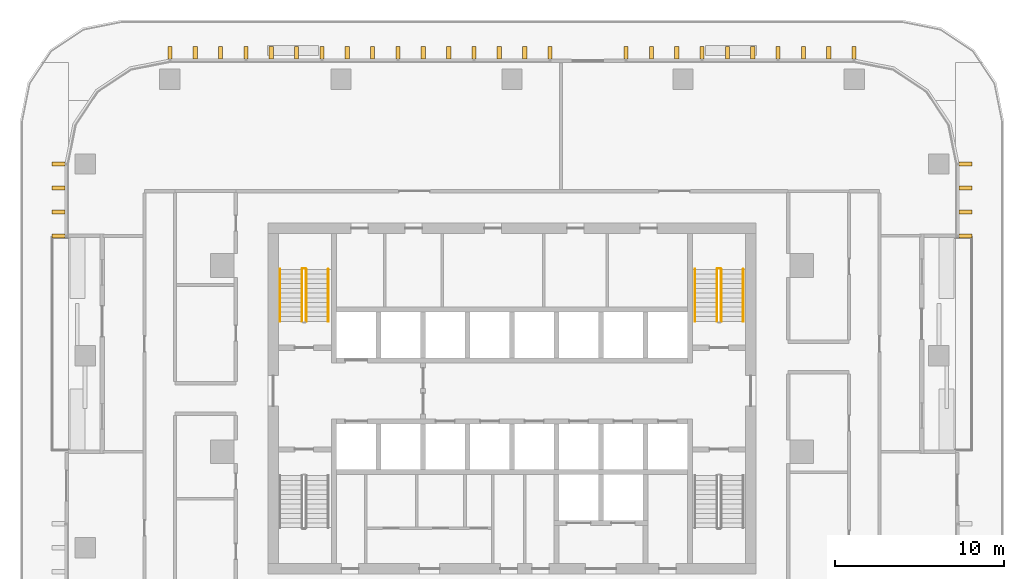
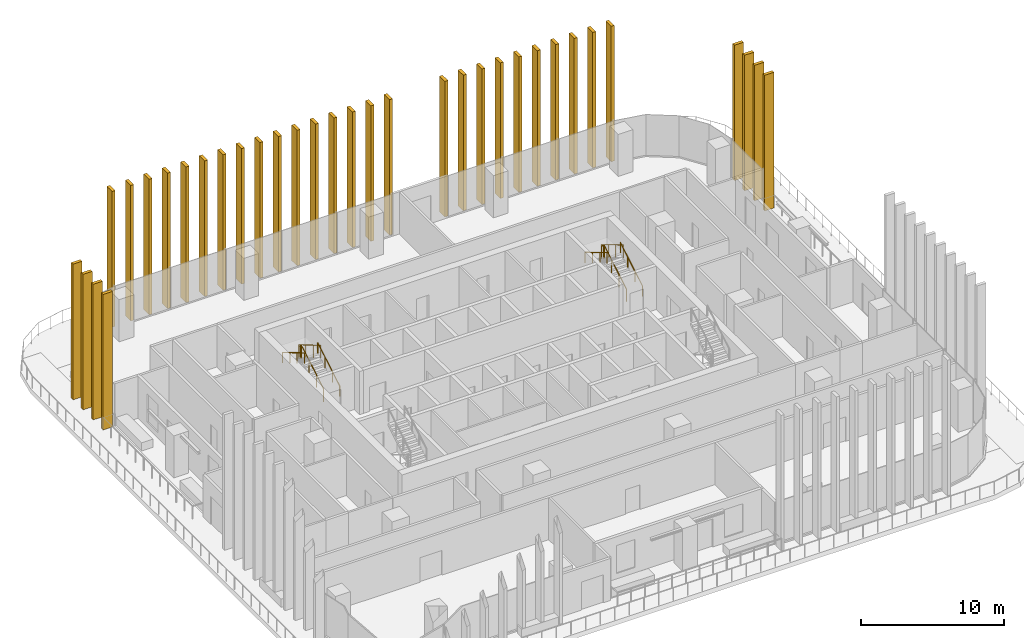
# One storey, part 16 of 16: 34 shading devices, 8 railings.
"""IFC4 building model written with IfcOpenShell, lengths in metres."""

from ifc_helpers import new_model, si_unit, direction, frame, origin, origin_2d, place, context, subcontext, project, spatial, rectangle, circle, extrude, material, type_object, element, save


model = new_model("IFC4")

# Units and contexts
model_context = context("Model", 3, precision=1e-05, world=origin(), true_north=direction((0.0, 1.0)))
body_context = subcontext(model_context, "Body", "Model", "MODEL_VIEW")
ifc_project = project(units=[si_unit("LENGTHUNIT", "METRE"), si_unit("AREAUNIT", "SQUARE_METRE"), si_unit("VOLUMEUNIT", "CUBIC_METRE"), si_unit("PLANEANGLEUNIT", "RADIAN"), si_unit("MASSUNIT", "GRAM", prefix="KILO")], contexts=[model_context])

# Site, building, storey
site_placement = place(None, origin())
site = spatial("IfcSite", under=ifc_project, at=site_placement, CompositionType="ELEMENT")
building_placement = place(site_placement, origin())
building = spatial("IfcBuilding", under=site, at=building_placement, Name="Mopane Tessera Tower", CompositionType="ELEMENT")
storey_placement = place(building_placement, frame((0.0, 0.0, 157.0)))
storey = spatial("IfcBuildingStorey", under=building, at=storey_placement, Name="L31", CompositionType="ELEMENT", Elevation=157.0)

# Shading devices
ifc_material_1 = material(Name="Glazed ceramic tile")
shading_device_type = type_object("IfcShadingDeviceType", Name="Ceramic tile fin 750 x 250 mm", PredefinedType="USERDEFINED", material=ifc_material_1)
for number, where, z_axis, x_axis, name in (
    (1, (26.77490234375, 12.75, 0.0), (0.0, 0.0, 1.0), (0.0, 1.0, 0.0), "e:fin:L31:E:7:0"),
    (2, (26.77490234375, 14.166748046875, 0.0), (0.0, 0.0, 1.0), (0.0, 1.0, 0.0), "e:fin:L31:E:7:1"),
    (3, (26.77490234375, 15.583251953125, 0.0), (0.0, 0.0, 1.0), (0.0, 1.0, 0.0), "e:fin:L31:E:7:2"),
    (4, (26.77490234375, 17.0, 0.0), (0.0, 0.0, 1.0), (0.0, 1.0, 0.0), "e:fin:L31:E:7:3"),
    (5, (20.199951171875, 23.574951171875, 0.0), (0.0, 0.0, 1.0), (-1.0, 0.0, 0.0), "e:fin:L31:N:0:0"),
    (6, (18.70361328125, 23.574951171875, 0.0), (0.0, 0.0, 1.0), (-1.0, 0.0, 0.0), "e:fin:L31:N:0:1"),
    (7, (17.20751953125, 23.574951171875, 0.0), (0.0, 0.0, 1.0), (-1.0, 0.0, 0.0), "e:fin:L31:N:0:2"),
    (8, (15.711181640625, 23.574951171875, 0.0), (0.0, 0.0, 1.0), (-1.0, 0.0, 0.0), "e:fin:L31:N:1:0"),
    (9, (14.21484375, 23.574951171875, 0.0), (0.0, 0.0, 1.0), (-1.0, 0.0, 0.0), "e:fin:L31:N:1:1"),
    (10, (12.718505859375, 23.574951171875, 0.0), (0.0, 0.0, 1.0), (-1.0, 0.0, 0.0), "e:fin:L31:N:1:2"),
    (11, (11.22216796875, 23.574951171875, 0.0), (0.0, 0.0, 1.0), (-1.0, 0.0, 0.0), "e:fin:L31:N:2:0"),
    (12, (9.725830078125, 23.574951171875, 0.0), (0.0, 0.0, 1.0), (-1.0, 0.0, 0.0), "e:fin:L31:N:2:1"),
    (13, (8.229736328125, 23.574951171875, 0.0), (0.0, 0.0, 1.0), (-1.0, 0.0, 0.0), "e:fin:L31:N:2:2"),
    (14, (6.7333984375, 23.574951171875, 0.0), (0.0, 0.0, 1.0), (-1.0, 0.0, 0.0), "e:fin:L31:N:2:3"),
    (15, (2.244384765625, 23.574951171875, 0.0), (0.0, 0.0, 1.0), (-1.0, 0.0, 0.0), "e:fin:L31:N:4:0"),
    (16, (0.748046875, 23.574951171875, 0.0), (0.0, 0.0, 1.0), (-1.0, 0.0, 0.0), "e:fin:L31:N:4:1"),
    (17, (-0.748046875, 23.574951171875, 0.0), (0.0, 0.0, 1.0), (-1.0, 0.0, 0.0), "e:fin:L31:N:4:2"),
    (18, (-2.244384765625, 23.574951171875, 0.0), (0.0, 0.0, 1.0), (-1.0, 0.0, 0.0), "e:fin:L31:N:5:0"),
    (19, (-3.74072265625, 23.574951171875, 0.0), (0.0, 0.0, 1.0), (-1.0, 0.0, 0.0), "e:fin:L31:N:5:1"),
    (20, (-5.237060546875, 23.574951171875, 0.0), (0.0, 0.0, 1.0), (-1.0, 0.0, 0.0), "e:fin:L31:N:5:2"),
    (21, (-6.7333984375, 23.574951171875, 0.0), (0.0, 0.0, 1.0), (-1.0, 0.0, 0.0), "e:fin:L31:N:6:0"),
    (22, (-8.229736328125, 23.574951171875, 0.0), (0.0, 0.0, 1.0), (-1.0, 0.0, 0.0), "e:fin:L31:N:6:1"),
    (23, (-9.725830078125, 23.574951171875, 0.0), (0.0, 0.0, 1.0), (-1.0, 0.0, 0.0), "e:fin:L31:N:6:2"),
    (24, (-11.22216796875, 23.574951171875, 0.0), (0.0, 0.0, 1.0), (-1.0, 0.0, 0.0), "e:fin:L31:N:7:0"),
    (25, (-12.718505859375, 23.574951171875, 0.0), (0.0, 0.0, 1.0), (-1.0, 0.0, 0.0), "e:fin:L31:N:7:1"),
    (26, (-14.21484375, 23.574951171875, 0.0), (0.0, 0.0, 1.0), (-1.0, 0.0, 0.0), "e:fin:L31:N:7:2"),
    (27, (-15.711181640625, 23.574951171875, 0.0), (0.0, 0.0, 1.0), (-1.0, 0.0, 0.0), "e:fin:L31:N:8:0"),
    (28, (-17.20751953125, 23.574951171875, 0.0), (0.0, 0.0, 1.0), (-1.0, 0.0, 0.0), "e:fin:L31:N:8:1"),
    (29, (-18.70361328125, 23.574951171875, 0.0), (0.0, 0.0, 1.0), (-1.0, 0.0, 0.0), "e:fin:L31:N:8:2"),
    (30, (-20.199951171875, 23.574951171875, 0.0), (0.0, 0.0, 1.0), (-1.0, 0.0, 0.0), "e:fin:L31:N:8:3"),
    (31, (-26.77490234375, 17.0, 0.0), (0.0, 0.0, 1.0), (0.0, -1.0, 0.0), "e:fin:L31:W:0:0"),
    (32, (-26.77490234375, 15.583251953125, 0.0), (0.0, 0.0, 1.0), (0.0, -1.0, 0.0), "e:fin:L31:W:0:1"),
    (33, (-26.77490234375, 14.166748046875, 0.0), (0.0, 0.0, 1.0), (0.0, -1.0, 0.0), "e:fin:L31:W:0:2"),
    (34, (-26.77490234375, 12.75, 0.0), (0.0, 0.0, 1.0), (0.0, -1.0, 0.0), "e:fin:L31:W:0:3"),
):
    element("IfcShadingDevice", number, at=place(storey_placement, frame(where, z_axis=z_axis, x_axis=x_axis)), inside=storey, type_object=shading_device_type, Name=name, ObjectType="FIN", PredefinedType="USERDEFINED", context=body_context, shape_type="SweptSolid", body=[
        extrude(rectangle(XDim=0.25, YDim=0.75, at=origin_2d()), origin(), (0.0, 0.0, 1.0), 11.60009765625),
    ])

# Railings
ifc_material_2 = material(Name="Powder-coated steel balustrade", Category="steel")
railing_type_1 = type_object("IfcRailingType", Name="Escape stair guard 1100 mm", PredefinedType="GUARDRAIL", material=ifc_material_2)
railing_1_placement = place(storey_placement, frame((-12.14990234375, 7.699951171875, 0.166748046875)))
element("IfcRailing", 35, at=railing_1_placement, inside=storey, type_object=railing_type_1, Name="L31 ST2 stair guard 1", PredefinedType="GUARDRAIL", context=body_context, shape_type="SweptSolid", body=[
    extrude(circle(Radius=0.02392578125, at=origin_2d()), frame((0.0, 0.0, 1.076171875), z_axis=(0.0, 0.859308565015, 0.511457515432), x_axis=(-1.0, 0.0, 0.0)), (0.0, 0.0, 1.0), 3.58447265625),
    extrude(circle(Radius=0.02392578125, at=origin_2d()), frame((0.0, 3.080078125, 2.9091796875), z_axis=(-0.707106781187, 0.707106781187, 0.0), x_axis=(-0.707106781187, -0.707106781187, 0.0)), (0.0, 0.0, 1.0), 0.07080078125),
    extrude(circle(Radius=0.02392578125, at=origin_2d()), frame((-0.050048828125, 3.130126953125, 2.9091796875), z_axis=(-1.0, 0.0, 0.0), x_axis=(0.0, -1.0, 0.0)), (0.0, 0.0, 1.0), 0.150146484375),
    extrude(circle(Radius=0.02099609375, at=origin_2d()), origin(), (0.0, 0.0, 1.0), 1.052001953125),
    extrude(circle(Radius=0.02099609375, at=origin_2d()), frame((0.0, 1.026611328125, 0.611083984375)), (0.0, 0.0, 1.0), 1.052001953125),
    extrude(circle(Radius=0.02099609375, at=origin_2d()), frame((0.0, 2.053466796875, 1.22216796875)), (0.0, 0.0, 1.0), 1.052001953125),
    extrude(circle(Radius=0.02099609375, at=origin_2d()), frame((0.0, 3.080078125, 1.833251953125)), (0.0, 0.0, 1.0), 1.052001953125),
    extrude(circle(Radius=0.02099609375, at=origin_2d()), frame((-0.050048828125, 3.130126953125, 1.833251953125)), (0.0, 0.0, 1.0), 1.052001953125),
    extrude(circle(Radius=0.02099609375, at=origin_2d()), frame((-0.2001953125, 3.130126953125, 1.833251953125)), (0.0, 0.0, 1.0), 1.052001953125),
])
railing_2_placement = place(storey_placement, frame((-12.39990234375, 10.780029296875, 2.166748046875)))
element("IfcRailing", 36, at=railing_2_placement, inside=storey, type_object=railing_type_1, Name="L31 ST2 stair guard 2", PredefinedType="GUARDRAIL", context=body_context, shape_type="SweptSolid", body=[
    extrude(circle(Radius=0.02392578125, at=origin_2d()), frame((0.0, 0.0, 1.076171875), z_axis=(0.0, -0.859308565015, 0.511457515432), x_axis=(1.0, 0.0, 0.0)), (0.0, 0.0, 1.0), 3.58447265625),
    extrude(circle(Radius=0.02099609375, at=origin_2d()), origin(), (0.0, 0.0, 1.0), 1.052001953125),
    extrude(circle(Radius=0.02099609375, at=origin_2d()), frame((0.0, -1.026611328125, 0.611083984375)), (0.0, 0.0, 1.0), 1.052001953125),
    extrude(circle(Radius=0.02099609375, at=origin_2d()), frame((0.0, -2.053466796875, 1.22216796875)), (0.0, 0.0, 1.0), 1.052001953125),
    extrude(circle(Radius=0.02099609375, at=origin_2d()), frame((0.0, -3.080078125, 1.833251953125)), (0.0, 0.0, 1.0), 1.052001953125),
])
railing_3_placement = place(storey_placement, frame((12.35009765625, 7.699951171875, 0.166748046875)))
element("IfcRailing", 37, at=railing_3_placement, inside=storey, type_object=railing_type_1, Name="L31 ST4 stair guard 1", PredefinedType="GUARDRAIL", context=body_context, shape_type="SweptSolid", body=[
    extrude(circle(Radius=0.02392578125, at=origin_2d()), frame((0.0, 0.0, 1.076171875), z_axis=(0.0, 0.859308565015, 0.511457515432), x_axis=(-1.0, 0.0, 0.0)), (0.0, 0.0, 1.0), 3.58447265625),
    extrude(circle(Radius=0.02392578125, at=origin_2d()), frame((0.0, 3.080078125, 2.9091796875), z_axis=(-0.707106781187, 0.707106781187, 0.0), x_axis=(-0.707106781187, -0.707106781187, 0.0)), (0.0, 0.0, 1.0), 0.07080078125),
    extrude(circle(Radius=0.02392578125, at=origin_2d()), frame((-0.050048828125, 3.130126953125, 2.9091796875), z_axis=(-1.0, 0.0, 0.0), x_axis=(0.0, -1.0, 0.0)), (0.0, 0.0, 1.0), 0.150146484375),
    extrude(circle(Radius=0.02099609375, at=origin_2d()), origin(), (0.0, 0.0, 1.0), 1.052001953125),
    extrude(circle(Radius=0.02099609375, at=origin_2d()), frame((0.0, 1.026611328125, 0.611083984375)), (0.0, 0.0, 1.0), 1.052001953125),
    extrude(circle(Radius=0.02099609375, at=origin_2d()), frame((0.0, 2.053466796875, 1.22216796875)), (0.0, 0.0, 1.0), 1.052001953125),
    extrude(circle(Radius=0.02099609375, at=origin_2d()), frame((0.0, 3.080078125, 1.833251953125)), (0.0, 0.0, 1.0), 1.052001953125),
    extrude(circle(Radius=0.02099609375, at=origin_2d()), frame((-0.050048828125, 3.130126953125, 1.833251953125)), (0.0, 0.0, 1.0), 1.052001953125),
    extrude(circle(Radius=0.02099609375, at=origin_2d()), frame((-0.2001953125, 3.130126953125, 1.833251953125)), (0.0, 0.0, 1.0), 1.052001953125),
])
railing_4_placement = place(storey_placement, frame((12.10009765625, 10.780029296875, 2.166748046875)))
element("IfcRailing", 38, at=railing_4_placement, inside=storey, type_object=railing_type_1, Name="L31 ST4 stair guard 2", PredefinedType="GUARDRAIL", context=body_context, shape_type="SweptSolid", body=[
    extrude(circle(Radius=0.02392578125, at=origin_2d()), frame((0.0, 0.0, 1.076171875), z_axis=(0.0, -0.859308565015, 0.511457515432), x_axis=(1.0, 0.0, 0.0)), (0.0, 0.0, 1.0), 3.58447265625),
    extrude(circle(Radius=0.02099609375, at=origin_2d()), origin(), (0.0, 0.0, 1.0), 1.052001953125),
    extrude(circle(Radius=0.02099609375, at=origin_2d()), frame((0.0, -1.026611328125, 0.611083984375)), (0.0, 0.0, 1.0), 1.052001953125),
    extrude(circle(Radius=0.02099609375, at=origin_2d()), frame((0.0, -2.053466796875, 1.22216796875)), (0.0, 0.0, 1.0), 1.052001953125),
    extrude(circle(Radius=0.02099609375, at=origin_2d()), frame((0.0, -3.080078125, 1.833251953125)), (0.0, 0.0, 1.0), 1.052001953125),
])
ifc_material_3 = material(Name="Powder-coated steel balustrade", Category="steel")
railing_type_2 = type_object("IfcRailingType", Name="Escape stair handrail 900 mm", PredefinedType="HANDRAIL", material=ifc_material_3)
railing_5_placement = place(storey_placement, frame((-10.85009765625, 7.699951171875, 0.166748046875)))
element("IfcRailing", 39, at=railing_5_placement, inside=storey, type_object=railing_type_2, Name="L31 ST2 stair handrail 1", PredefinedType="HANDRAIL", context=body_context, shape_type="SweptSolid", body=[
    extrude(circle(Radius=0.02392578125, at=origin_2d()), frame((0.0, 0.0, 0.8759765625), z_axis=(0.0, 0.859308565015, 0.511457515432), x_axis=(-1.0, 0.0, 0.0)), (0.0, 0.0, 1.0), 3.58447265625),
    extrude(circle(Radius=0.02099609375, at=origin_2d()), origin(), (0.0, 0.0, 1.0), 0.851806640625),
    extrude(circle(Radius=0.02099609375, at=origin_2d()), frame((0.0, 1.026611328125, 0.611083984375)), (0.0, 0.0, 1.0), 0.851806640625),
    extrude(circle(Radius=0.02099609375, at=origin_2d()), frame((0.0, 2.053466796875, 1.22216796875)), (0.0, 0.0, 1.0), 0.851806640625),
    extrude(circle(Radius=0.02099609375, at=origin_2d()), frame((0.0, 3.080078125, 1.833251953125)), (0.0, 0.0, 1.0), 0.851806640625),
])
railing_6_placement = place(storey_placement, frame((-13.699951171875, 10.780029296875, 2.166748046875)))
element("IfcRailing", 40, at=railing_6_placement, inside=storey, type_object=railing_type_2, Name="L31 ST2 stair handrail 2", PredefinedType="HANDRAIL", context=body_context, shape_type="SweptSolid", body=[
    extrude(circle(Radius=0.02392578125, at=origin_2d()), frame((0.0, 0.0, 0.8759765625), z_axis=(0.0, -0.859308565015, 0.511457515432), x_axis=(1.0, 0.0, 0.0)), (0.0, 0.0, 1.0), 3.58447265625),
    extrude(circle(Radius=0.02099609375, at=origin_2d()), origin(), (0.0, 0.0, 1.0), 0.851806640625),
    extrude(circle(Radius=0.02099609375, at=origin_2d()), frame((0.0, -1.026611328125, 0.611083984375)), (0.0, 0.0, 1.0), 0.851806640625),
    extrude(circle(Radius=0.02099609375, at=origin_2d()), frame((0.0, -2.053466796875, 1.22216796875)), (0.0, 0.0, 1.0), 0.851806640625),
    extrude(circle(Radius=0.02099609375, at=origin_2d()), frame((0.0, -3.080078125, 1.833251953125)), (0.0, 0.0, 1.0), 0.851806640625),
])
railing_7_placement = place(storey_placement, frame((13.64990234375, 7.699951171875, 0.166748046875)))
element("IfcRailing", 41, at=railing_7_placement, inside=storey, type_object=railing_type_2, Name="L31 ST4 stair handrail 1", PredefinedType="HANDRAIL", context=body_context, shape_type="SweptSolid", body=[
    extrude(circle(Radius=0.02392578125, at=origin_2d()), frame((0.0, 0.0, 0.8759765625), z_axis=(0.0, 0.859308565015, 0.511457515432), x_axis=(-1.0, 0.0, 0.0)), (0.0, 0.0, 1.0), 3.58447265625),
    extrude(circle(Radius=0.02099609375, at=origin_2d()), origin(), (0.0, 0.0, 1.0), 0.851806640625),
    extrude(circle(Radius=0.02099609375, at=origin_2d()), frame((0.0, 1.026611328125, 0.611083984375)), (0.0, 0.0, 1.0), 0.851806640625),
    extrude(circle(Radius=0.02099609375, at=origin_2d()), frame((0.0, 2.053466796875, 1.22216796875)), (0.0, 0.0, 1.0), 0.851806640625),
    extrude(circle(Radius=0.02099609375, at=origin_2d()), frame((0.0, 3.080078125, 1.833251953125)), (0.0, 0.0, 1.0), 0.851806640625),
])
railing_8_placement = place(storey_placement, frame((10.800048828125, 10.780029296875, 2.166748046875)))
element("IfcRailing", 42, at=railing_8_placement, inside=storey, type_object=railing_type_2, Name="L31 ST4 stair handrail 2", PredefinedType="HANDRAIL", context=body_context, shape_type="SweptSolid", body=[
    extrude(circle(Radius=0.02392578125, at=origin_2d()), frame((0.0, 0.0, 0.8759765625), z_axis=(0.0, -0.859308565015, 0.511457515432), x_axis=(1.0, 0.0, 0.0)), (0.0, 0.0, 1.0), 3.58447265625),
    extrude(circle(Radius=0.02099609375, at=origin_2d()), origin(), (0.0, 0.0, 1.0), 0.851806640625),
    extrude(circle(Radius=0.02099609375, at=origin_2d()), frame((0.0, -1.026611328125, 0.611083984375)), (0.0, 0.0, 1.0), 0.851806640625),
    extrude(circle(Radius=0.02099609375, at=origin_2d()), frame((0.0, -2.053466796875, 1.22216796875)), (0.0, 0.0, 1.0), 0.851806640625),
    extrude(circle(Radius=0.02099609375, at=origin_2d()), frame((0.0, -3.080078125, 1.833251953125)), (0.0, 0.0, 1.0), 0.851806640625),
])

save(model, "model.ifc")
